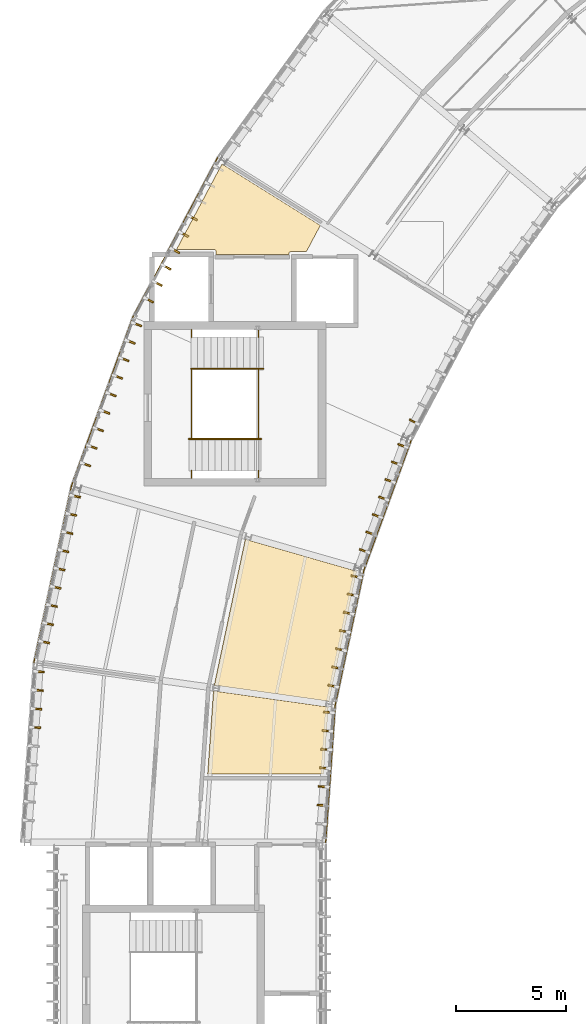
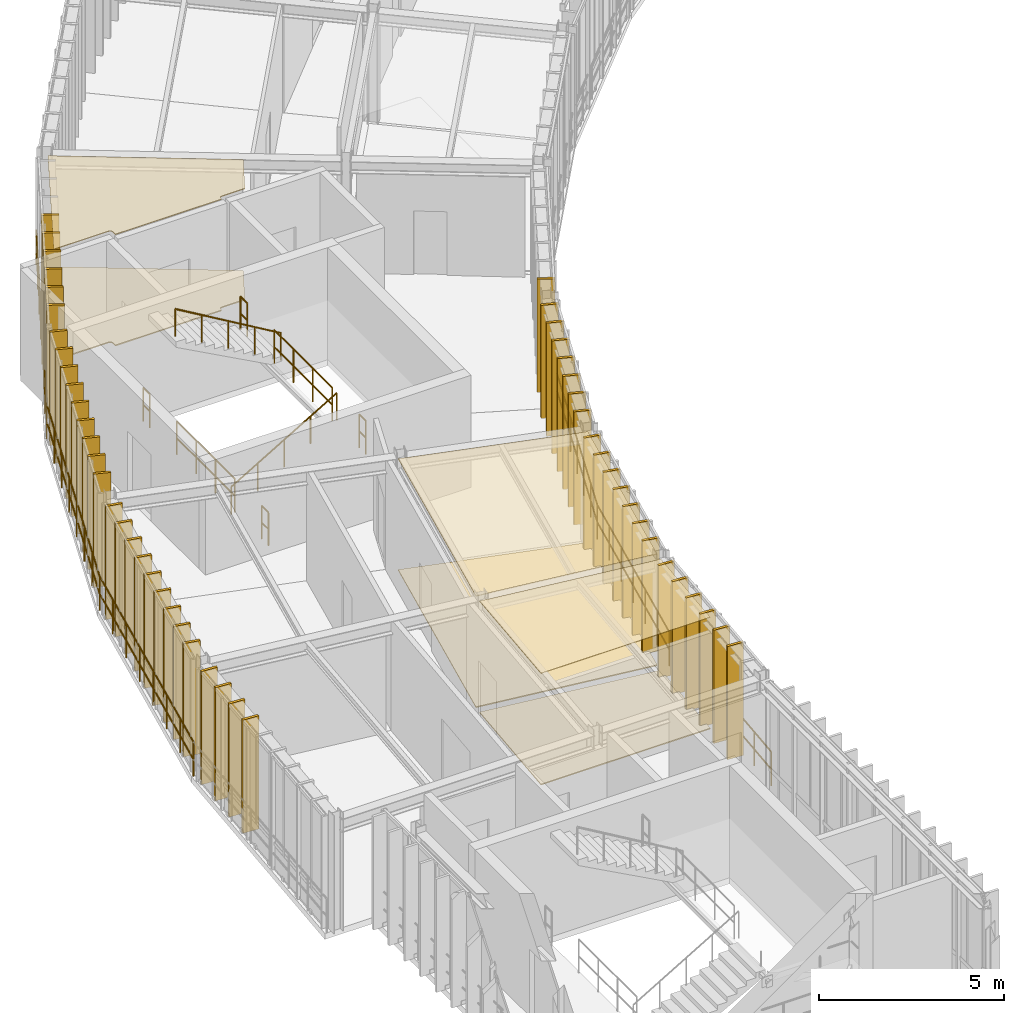
# One storey, part 23 of 25: 55 coverings, 14 railings.
"""IFC4 building model written with IfcOpenShell, lengths in metres."""

from ifc_helpers import new_model, si_unit, direction, frame, origin, origin_2d, place, context, subcontext, project, spatial, polyline, rectangle, circle, outline, extrude, material, layer, layer_set, type_object, element, save


model = new_model("IFC4")

# Units and contexts
model_context = context("Model", 3, precision=1e-05, world=origin(), true_north=direction((0.0, 1.0)))
body_context = subcontext(model_context, "Body", "Model", "MODEL_VIEW")
ifc_project = project(units=[si_unit("LENGTHUNIT", "METRE"), si_unit("AREAUNIT", "SQUARE_METRE"), si_unit("VOLUMEUNIT", "CUBIC_METRE"), si_unit("PLANEANGLEUNIT", "RADIAN"), si_unit("MASSUNIT", "GRAM", prefix="KILO"), si_unit("THERMODYNAMICTEMPERATUREUNIT", "KELVIN"), si_unit("POWERUNIT", "WATT")], contexts=[model_context])

# Site, building, storey
site_placement = place(None, origin())
site = spatial("IfcSite", under=ifc_project, at=site_placement, CompositionType="ELEMENT")
building_placement = place(site_placement, origin())
building = spatial("IfcBuilding", under=site, at=building_placement, Name="Solvatero Civic Police Headquarters", CompositionType="ELEMENT")
storey_placement = place(building_placement, frame((0.0, 0.0, 25.5)))
storey = spatial("IfcBuildingStorey", under=building, at=storey_placement, Name="L06", CompositionType="ELEMENT", Elevation=25.5)

# Coverings
ifc_material_1 = material(Name="Mineral-Fibre Acoustic Tile", Category="gypsum")
ifc_layer_1 = layer(ifc_material_1, 0.02490234375)
ifc_layer_set_1 = layer_set([ifc_layer_1], Name="Mineral-Fibre Acoustic Tile")
covering_type_1 = type_object("IfcCoveringType", Name="COV-CEIL-AC", PredefinedType="CEILING", material=ifc_layer_set_1)
covering_1_placement = place(storey_placement, frame((0.0, 0.0, 3.675048828125)))
element("IfcCovering", 1, at=covering_1_placement, inside=storey, type_object=covering_type_1, Name="Acoustic Ceiling Legal and Disciplinary Review Chamber Bay 9", PredefinedType="CEILING", context=body_context, shape_type="SweptSolid", body=[
    extrude(outline(polyline([(43.93994140625, 52.820068359375), (43.93994140625, 52.9599609375), (43.939697265625, 52.9677734375), (43.9384765625, 52.9755859375), (43.9365234375, 52.983154296875), (43.933837890625, 52.990478515625), (43.9306640625, 52.997802734375), (43.926513671875, 53.00439453125), (43.921875, 53.0107421875), (43.91650390625, 53.0166015625), (43.910888671875, 53.021728515625), (43.904296875, 53.026611328125), (43.897705078125, 53.030517578125), (43.890625, 53.033935546875), (43.88330078125, 53.03662109375), (43.87548828125, 53.03857421875), (43.867919921875, 53.03955078125), (43.860107421875, 53.0400390625), (42.136962890625, 53.0400390625), (44.21337890625, 56.945068359375), (48.698974609375, 54.14208984375), (48.059814453125, 52.93994140625), (47.340087890625, 52.93994140625), (47.332275390625, 52.939697265625), (47.324462890625, 52.9384765625), (47.31689453125, 52.9365234375), (47.309326171875, 52.933837890625), (47.30224609375, 52.9306640625), (47.295654296875, 52.926513671875), (47.289306640625, 52.921875), (47.283447265625, 52.91650390625), (47.2783203125, 52.910888671875), (47.2734375, 52.904296875), (47.269287109375, 52.897705078125), (47.26611328125, 52.890625), (47.263427734375, 52.88330078125), (47.261474609375, 52.87548828125), (47.260498046875, 52.867919921875), (47.260009765625, 52.860107421875), (47.260009765625, 52.820068359375), (43.93994140625, 52.820068359375)])), origin(), (0.0, 0.0, 1.0), 0.02490234375),
])
covering_2_placement = place(storey_placement, frame((0.0, 0.0, 3.675048828125)))
element("IfcCovering", 2, at=covering_2_placement, inside=storey, type_object=covering_type_1, Name="Acoustic Ceiling Deputy Questore Directorate Suite Bay 11", PredefinedType="CEILING", context=body_context, shape_type="SweptSolid", body=[
    extrude(outline(polyline([(49.09619140625, 32.431884765625), (43.8583984375, 33.168212890625), (45.2734375, 39.826416015625), (50.358154296875, 38.368408203125), (49.09619140625, 32.431884765625)])), origin(), (0.0, 0.0, 1.0), 0.02490234375),
])
covering_3_placement = place(storey_placement, frame((0.0, 0.0, 3.675048828125)))
element("IfcCovering", 3, at=covering_3_placement, inside=storey, type_object=covering_type_1, Name="Acoustic Ceiling Deputy Questore Directorate Suite Bay 12", PredefinedType="CEILING", context=body_context, shape_type="SweptSolid", body=[
    extrude(outline(polyline([(48.8486328125, 29.1298828125), (43.55908203125, 29.1298828125), (43.823486328125, 32.910400390625), (49.0615234375, 32.17431640625), (48.8486328125, 29.1298828125)])), origin(), (0.0, 0.0, 1.0), 0.02490234375),
])
ifc_material_2 = material(Name="Anodized Bronze Aluminium", Category="aluminium")
ifc_layer_2 = layer(ifc_material_2, 0.080078125)
ifc_layer_set_2 = layer_set([ifc_layer_2], Name="Anodized Bronze Aluminium")
covering_type_2 = type_object("IfcCoveringType", Name="COV-FIN-480", PredefinedType="CLADDING", material=ifc_layer_set_2)
for number, where, z_axis, x_axis, name in (
    (4, (42.864501953125, 54.4931640625, -0.02001953125), (0.0, 0.0, 1.0), (-0.469471562786, -0.882947592859, 0.0), "Vertical Brise-Soleil Fin 1285"),
    (5, (42.465576171875, 53.74267578125, -0.02001953125), (0.0, 0.0, 1.0), (-0.469471562786, -0.882947592859, 0.0), "Vertical Brise-Soleil Fin 1286"),
    (6, (42.06640625, 52.9921875, -0.02001953125), (0.0, 0.0, 1.0), (-0.469471562786, -0.882947592859, 0.0), "Vertical Brise-Soleil Fin 1287"),
    (7, (41.66748046875, 52.24169921875, -0.02001953125), (0.0, 0.0, 1.0), (-0.469471562786, -0.882947592859, 0.0), "Vertical Brise-Soleil Fin 1288"),
    (8, (41.268310546875, 51.4912109375, -0.02001953125), (0.0, 0.0, 1.0), (-0.469471562786, -0.882947592859, 0.0), "Vertical Brise-Soleil Fin 1289"),
    (9, (40.869384765625, 50.740478515625, -0.02001953125), (0.0, 0.0, 1.0), (-0.469471562786, -0.882947592859, 0.0), "Vertical Brise-Soleil Fin 1290"),
    (10, (52.980712890625, 45.17529296875, -0.02001953125), (0.0, 0.0, 1.0), (-0.469486973057, -0.8829393989, 0.0), "Vertical Brise-Soleil Fin 1297"),
    (11, (40.31884765625, 49.632568359375, -0.02001953125), (0.0, 0.0, 1.0), (-0.342020143326, -0.939692620786, 0.0), "Vertical Brise-Soleil Fin 1298"),
    (12, (40.028076171875, 48.833740234375, -0.02001953125), (0.0, 0.0, 1.0), (-0.342020143326, -0.939692620786, 0.0), "Vertical Brise-Soleil Fin 1299"),
    (13, (39.7373046875, 48.03515625, -0.02001953125), (0.0, 0.0, 1.0), (-0.342020143326, -0.939692620786, 0.0), "Vertical Brise-Soleil Fin 1300"),
    (14, (39.44677734375, 47.236328125, -0.02001953125), (0.0, 0.0, 1.0), (-0.342020143326, -0.939692620786, 0.0), "Vertical Brise-Soleil Fin 1301"),
    (15, (39.156005859375, 46.4375, -0.02001953125), (0.0, 0.0, 1.0), (-0.342020143326, -0.939692620786, 0.0), "Vertical Brise-Soleil Fin 1302"),
    (16, (38.865234375, 45.638916015625, -0.02001953125), (0.0, 0.0, 1.0), (-0.342020143326, -0.939692620786, 0.0), "Vertical Brise-Soleil Fin 1303"),
    (17, (38.57470703125, 44.840087890625, -0.02001953125), (0.0, 0.0, 1.0), (-0.342020143326, -0.939692620786, 0.0), "Vertical Brise-Soleil Fin 1304"),
    (18, (38.283935546875, 44.04150390625, -0.02001953125), (0.0, 0.0, 1.0), (-0.342020143326, -0.939692620786, 0.0), "Vertical Brise-Soleil Fin 1305"),
    (19, (37.9931640625, 43.24267578125, -0.02001953125), (0.0, 0.0, 1.0), (-0.342020143326, -0.939692620786, 0.0), "Vertical Brise-Soleil Fin 1306"),
    (20, (52.458984375, 44.081787109375, -0.02001953125), (0.0, 0.0, 1.0), (-0.342003742543, -0.93969859002, 0.0), "Vertical Brise-Soleil Fin 1307"),
    (21, (52.168212890625, 43.282958984375, -0.02001953125), (0.0, 0.0, 1.0), (-0.342003742543, -0.93969859002, 0.0), "Vertical Brise-Soleil Fin 1308"),
    (22, (51.87744140625, 42.484375, -0.02001953125), (0.0, 0.0, 1.0), (-0.342003742543, -0.93969859002, 0.0), "Vertical Brise-Soleil Fin 1309"),
    (23, (51.5869140625, 41.685546875, -0.02001953125), (0.0, 0.0, 1.0), (-0.342003742543, -0.93969859002, 0.0), "Vertical Brise-Soleil Fin 1310"),
    (24, (51.296142578125, 40.88671875, -0.02001953125), (0.0, 0.0, 1.0), (-0.342003742543, -0.93969859002, 0.0), "Vertical Brise-Soleil Fin 1311"),
    (25, (51.00537109375, 40.088134765625, -0.02001953125), (0.0, 0.0, 1.0), (-0.342003742543, -0.93969859002, 0.0), "Vertical Brise-Soleil Fin 1312"),
    (26, (50.714599609375, 39.289306640625, -0.02001953125), (0.0, 0.0, 1.0), (-0.342003742543, -0.93969859002, 0.0), "Vertical Brise-Soleil Fin 1313"),
    (27, (37.52197265625, 41.788818359375, -0.02001953125), (0.0, 0.0, 1.0), (-0.207911690818, -0.978147600734, 0.0), "Vertical Brise-Soleil Fin 1314"),
    (28, (37.34521484375, 40.957275390625, -0.02001953125), (0.0, 0.0, 1.0), (-0.207911690818, -0.978147600734, 0.0), "Vertical Brise-Soleil Fin 1315"),
    (29, (37.16845703125, 40.1259765625, -0.02001953125), (0.0, 0.0, 1.0), (-0.207911690818, -0.978147600734, 0.0), "Vertical Brise-Soleil Fin 1316"),
    (30, (36.99169921875, 39.29443359375, -0.02001953125), (0.0, 0.0, 1.0), (-0.207911690818, -0.978147600734, 0.0), "Vertical Brise-Soleil Fin 1317"),
    (31, (36.81494140625, 38.462890625, -0.02001953125), (0.0, 0.0, 1.0), (-0.207911690818, -0.978147600734, 0.0), "Vertical Brise-Soleil Fin 1318"),
    (32, (36.63818359375, 37.631591796875, -0.02001953125), (0.0, 0.0, 1.0), (-0.207911690818, -0.978147600734, 0.0), "Vertical Brise-Soleil Fin 1319"),
    (33, (36.461669921875, 36.80029296875, -0.02001953125), (0.0, 0.0, 1.0), (-0.207911690818, -0.978147600734, 0.0), "Vertical Brise-Soleil Fin 1320"),
    (34, (36.284912109375, 35.96875, -0.02001953125), (0.0, 0.0, 1.0), (-0.207911690818, -0.978147600734, 0.0), "Vertical Brise-Soleil Fin 1321"),
    (35, (36.108154296875, 35.13720703125, -0.02001953125), (0.0, 0.0, 1.0), (-0.207911690818, -0.978147600734, 0.0), "Vertical Brise-Soleil Fin 1322"),
    (36, (50.3447265625, 38.114501953125, -0.02001953125), (0.0, 0.0, 1.0), (-0.207911690818, -0.978147600734, 0.0), "Vertical Brise-Soleil Fin 1323"),
    (37, (50.16796875, 37.283203125, -0.02001953125), (0.0, 0.0, 1.0), (-0.207911690818, -0.978147600734, 0.0), "Vertical Brise-Soleil Fin 1324"),
    (38, (49.9912109375, 36.451904296875, -0.02001953125), (0.0, 0.0, 1.0), (-0.207911690818, -0.978147600734, 0.0), "Vertical Brise-Soleil Fin 1325"),
    (39, (49.814453125, 35.620361328125, -0.02001953125), (0.0, 0.0, 1.0), (-0.207911690818, -0.978147600734, 0.0), "Vertical Brise-Soleil Fin 1326"),
    (40, (49.6376953125, 34.788818359375, -0.02001953125), (0.0, 0.0, 1.0), (-0.207911690818, -0.978147600734, 0.0), "Vertical Brise-Soleil Fin 1327"),
    (41, (49.461181640625, 33.95751953125, -0.02001953125), (0.0, 0.0, 1.0), (-0.207911690818, -0.978147600734, 0.0), "Vertical Brise-Soleil Fin 1328"),
    (42, (49.2841796875, 33.126220703125, -0.02001953125), (0.0, 0.0, 1.0), (-0.207911690818, -0.978147600734, 0.0), "Vertical Brise-Soleil Fin 1329"),
    (43, (35.874755859375, 33.784912109375, -0.02001953125), (0.0, 0.0, 1.0), (-0.069739062956, -0.997565267588, 0.0), "Vertical Brise-Soleil Fin 1330"),
    (44, (35.8154296875, 32.93701171875, -0.02001953125), (0.0, 0.0, 1.0), (-0.069739062956, -0.997565267588, 0.0), "Vertical Brise-Soleil Fin 1331"),
    (45, (35.75634765625, 32.089111328125, -0.02001953125), (0.0, 0.0, 1.0), (-0.069739062956, -0.997565267588, 0.0), "Vertical Brise-Soleil Fin 1332"),
    (46, (35.697021484375, 31.2412109375, -0.02001953125), (0.0, 0.0, 1.0), (-0.069739062956, -0.997565267588, 0.0), "Vertical Brise-Soleil Fin 1333"),
    (47, (49.084228515625, 31.930908203125, -0.02001953125), (0.0, 0.0, 1.0), (-0.069773884511, -0.997562832628, 0.0), "Vertical Brise-Soleil Fin 1339"),
    (48, (49.02490234375, 31.0830078125, -0.02001953125), (0.0, 0.0, 1.0), (-0.069773884511, -0.997562832628, 0.0), "Vertical Brise-Soleil Fin 1340"),
    (49, (48.9658203125, 30.235107421875, -0.02001953125), (0.0, 0.0, 1.0), (-0.069773884511, -0.997562832628, 0.0), "Vertical Brise-Soleil Fin 1341"),
    (50, (48.906494140625, 29.38720703125, -0.02001953125), (0.0, 0.0, 1.0), (-0.069773884511, -0.997562832628, 0.0), "Vertical Brise-Soleil Fin 1342"),
    (51, (48.84716796875, 28.539306640625, -0.02001953125), (0.0, 0.0, 1.0), (-0.069773884511, -0.997562832628, 0.0), "Vertical Brise-Soleil Fin 1343"),
    (52, (48.787841796875, 27.69140625, -0.02001953125), (0.0, 0.0, 1.0), (-0.069773884511, -0.997562832628, 0.0), "Vertical Brise-Soleil Fin 1344"),
):
    element("IfcCovering", number, at=place(storey_placement, frame(where, z_axis=z_axis, x_axis=x_axis)), inside=storey, type_object=covering_type_2, Name=name, PredefinedType="CLADDING", context=body_context, shape_type="SweptSolid", body=[
        extrude(rectangle(XDim=0.080078125, YDim=0.47998046875, at=origin_2d()), origin(), (0.0, 0.0, 1.0), 3.739990234375),
    ])
ifc_material_3 = material(Name="Venetian Terrazzo Stone", Category="masonry")
ifc_layer_3 = layer(ifc_material_3, 0.034912109375)
ifc_layer_set_3 = layer_set([ifc_layer_3], Name="Venetian Terrazzo Stone")
covering_type_3 = type_object("IfcCoveringType", Name="COV-FLR-TER", PredefinedType="FLOORING", material=ifc_layer_set_3)
covering_4_placement = place(storey_placement, origin())
element("IfcCovering", 53, at=covering_4_placement, inside=storey, type_object=covering_type_3, Name="Flooring Legal and Disciplinary Review Chamber Bay 9", PredefinedType="FLOORING", context=body_context, shape_type="SweptSolid", body=[
    extrude(outline(polyline([(43.93994140625, 52.820068359375), (43.93994140625, 52.9599609375), (43.939697265625, 52.9677734375), (43.9384765625, 52.9755859375), (43.9365234375, 52.983154296875), (43.933837890625, 52.990478515625), (43.9306640625, 52.997802734375), (43.926513671875, 53.00439453125), (43.921875, 53.0107421875), (43.91650390625, 53.0166015625), (43.910888671875, 53.021728515625), (43.904296875, 53.026611328125), (43.897705078125, 53.030517578125), (43.890625, 53.033935546875), (43.88330078125, 53.03662109375), (43.87548828125, 53.03857421875), (43.867919921875, 53.03955078125), (43.860107421875, 53.0400390625), (42.136962890625, 53.0400390625), (44.21337890625, 56.945068359375), (48.698974609375, 54.14208984375), (48.059814453125, 52.93994140625), (47.340087890625, 52.93994140625), (47.332275390625, 52.939697265625), (47.324462890625, 52.9384765625), (47.31689453125, 52.9365234375), (47.309326171875, 52.933837890625), (47.30224609375, 52.9306640625), (47.295654296875, 52.926513671875), (47.289306640625, 52.921875), (47.283447265625, 52.91650390625), (47.2783203125, 52.910888671875), (47.2734375, 52.904296875), (47.269287109375, 52.897705078125), (47.26611328125, 52.890625), (47.263427734375, 52.88330078125), (47.261474609375, 52.87548828125), (47.260498046875, 52.867919921875), (47.260009765625, 52.860107421875), (47.260009765625, 52.820068359375), (43.93994140625, 52.820068359375)])), origin(), (0.0, 0.0, 1.0), 0.034912109375),
])
covering_5_placement = place(storey_placement, origin())
element("IfcCovering", 54, at=covering_5_placement, inside=storey, type_object=covering_type_3, Name="Flooring Deputy Questore Directorate Suite Bay 11", PredefinedType="FLOORING", context=body_context, shape_type="SweptSolid", body=[
    extrude(outline(polyline([(49.09619140625, 32.431884765625), (43.8583984375, 33.168212890625), (45.2734375, 39.826416015625), (50.358154296875, 38.368408203125), (49.09619140625, 32.431884765625)])), origin(), (0.0, 0.0, 1.0), 0.034912109375),
])
covering_6_placement = place(storey_placement, origin())
element("IfcCovering", 55, at=covering_6_placement, inside=storey, type_object=covering_type_3, Name="Flooring Deputy Questore Directorate Suite Bay 12", PredefinedType="FLOORING", context=body_context, shape_type="SweptSolid", body=[
    extrude(outline(polyline([(48.8486328125, 29.1298828125), (43.55908203125, 29.1298828125), (43.823486328125, 32.910400390625), (49.0615234375, 32.17431640625), (48.8486328125, 29.1298828125)])), origin(), (0.0, 0.0, 1.0), 0.034912109375),
])

# Railings
ifc_material_4 = material(Name="Anodized Bronze and Laminated Glass", Category="glass")
railing_type_1 = type_object("IfcRailingType", Name="RL-BAL-115", PredefinedType="BALUSTRADE", material=ifc_material_4)
railing_1_placement = place(storey_placement, frame((44.01611328125, 57.2333984375, 0.0)))
element("IfcRailing", 56, at=railing_1_placement, inside=storey, type_object=railing_type_1, Name="Glazed Facade Sill Balustrade RL-L06-ARCOUT-B09", PredefinedType="BALUSTRADE", context=body_context, shape_type="SweptSolid", body=[
    extrude(circle(Radius=0.02392578125, at=origin_2d()), frame((0.0, 0.0, 1.1259765625), z_axis=(-0.469495286037, -0.882934978573, 0.0), x_axis=(0.882934978573, -0.469495286037, 0.0)), (0.0, 0.0, 1.0), 8.222900390625),
    extrude(circle(Radius=0.02392578125, at=origin_2d()), frame((0.0, 0.0, 0.55078125), z_axis=(-0.469495286037, -0.882934978573, 0.0), x_axis=(0.882934978573, -0.469495286037, 0.0)), (0.0, 0.0, 1.0), 8.222900390625),
    extrude(circle(Radius=0.02099609375, at=origin_2d()), origin(), (0.0, 0.0, 1.0), 1.101806640625),
    extrude(circle(Radius=0.02099609375, at=origin_2d()), frame((-0.551513671875, -1.037109375, 0.0)), (0.0, 0.0, 1.0), 1.101806640625),
    extrude(circle(Radius=0.02099609375, at=origin_2d()), frame((-1.10302734375, -2.074462890625, 0.0)), (0.0, 0.0, 1.0), 1.101806640625),
    extrude(circle(Radius=0.02099609375, at=origin_2d()), frame((-1.654541015625, -3.111572265625, 0.0)), (0.0, 0.0, 1.0), 1.101806640625),
    extrude(circle(Radius=0.02099609375, at=origin_2d()), frame((-2.2060546875, -4.148681640625, 0.0)), (0.0, 0.0, 1.0), 1.101806640625),
    extrude(circle(Radius=0.02099609375, at=origin_2d()), frame((-2.757568359375, -5.185791015625, 0.0)), (0.0, 0.0, 1.0), 1.101806640625),
    extrude(circle(Radius=0.02099609375, at=origin_2d()), frame((-3.30908203125, -6.22314453125, 0.0)), (0.0, 0.0, 1.0), 1.101806640625),
    extrude(circle(Radius=0.02099609375, at=origin_2d()), frame((-3.860595703125, -7.26025390625, 0.0)), (0.0, 0.0, 1.0), 1.101806640625),
])
railing_2_placement = place(storey_placement, frame((52.835693359375, 44.32763671875, 0.0)))
element("IfcRailing", 57, at=railing_2_placement, inside=storey, type_object=railing_type_1, Name="Glazed Facade Sill Balustrade RL-L06-ARCIN-B10", PredefinedType="BALUSTRADE", context=body_context, shape_type="SweptSolid", body=[
    extrude(circle(Radius=0.02392578125, at=origin_2d()), frame((0.0, 0.0, 1.1259765625), z_axis=(-0.342020563113, -0.939692467996, 0.0), x_axis=(0.939692467996, -0.342020563113, 0.0)), (0.0, 0.0, 1.0), 6.28662109375),
    extrude(circle(Radius=0.02392578125, at=origin_2d()), frame((0.0, 0.0, 0.55078125), z_axis=(-0.342020563113, -0.939692467996, 0.0), x_axis=(0.939692467996, -0.342020563113, 0.0)), (0.0, 0.0, 1.0), 6.28662109375),
    extrude(circle(Radius=0.02099609375, at=origin_2d()), origin(), (0.0, 0.0, 1.0), 1.101806640625),
    extrude(circle(Radius=0.02099609375, at=origin_2d()), frame((-0.3583984375, -0.984619140625, 0.0)), (0.0, 0.0, 1.0), 1.101806640625),
    extrude(circle(Radius=0.02099609375, at=origin_2d()), frame((-0.716796875, -1.96923828125, 0.0)), (0.0, 0.0, 1.0), 1.101806640625),
    extrude(circle(Radius=0.02099609375, at=origin_2d()), frame((-1.0751953125, -2.95361328125, 0.0)), (0.0, 0.0, 1.0), 1.101806640625),
    extrude(circle(Radius=0.02099609375, at=origin_2d()), frame((-1.433349609375, -3.938232421875, 0.0)), (0.0, 0.0, 1.0), 1.101806640625),
    extrude(circle(Radius=0.02099609375, at=origin_2d()), frame((-1.791748046875, -4.9228515625, 0.0)), (0.0, 0.0, 1.0), 1.101806640625),
    extrude(circle(Radius=0.02099609375, at=origin_2d()), frame((-2.150146484375, -5.907470703125, 0.0)), (0.0, 0.0, 1.0), 1.101806640625),
])
railing_3_placement = place(storey_placement, frame((40.155517578125, 49.97314453125, 0.0)))
element("IfcRailing", 58, at=railing_3_placement, inside=storey, type_object=railing_type_1, Name="Glazed Facade Sill Balustrade RL-L06-ARCOUT-B10", PredefinedType="BALUSTRADE", context=body_context, shape_type="SweptSolid", body=[
    extrude(circle(Radius=0.02392578125, at=origin_2d()), frame((0.0, 0.0, 1.1259765625), z_axis=(-0.342002894578, -0.939698898637, 0.0), x_axis=(0.939698898637, -0.342002894578, 0.0)), (0.0, 0.0, 1.0), 8.222900390625),
    extrude(circle(Radius=0.02392578125, at=origin_2d()), frame((0.0, 0.0, 0.55078125), z_axis=(-0.342002894578, -0.939698898637, 0.0), x_axis=(0.939698898637, -0.342002894578, 0.0)), (0.0, 0.0, 1.0), 8.222900390625),
    extrude(circle(Radius=0.02099609375, at=origin_2d()), origin(), (0.0, 0.0, 1.0), 1.101806640625),
    extrude(circle(Radius=0.02099609375, at=origin_2d()), frame((-0.40185546875, -1.103759765625, 0.0)), (0.0, 0.0, 1.0), 1.101806640625),
    extrude(circle(Radius=0.02099609375, at=origin_2d()), frame((-0.803466796875, -2.207763671875, 0.0)), (0.0, 0.0, 1.0), 1.101806640625),
    extrude(circle(Radius=0.02099609375, at=origin_2d()), frame((-1.205322265625, -3.3115234375, 0.0)), (0.0, 0.0, 1.0), 1.101806640625),
    extrude(circle(Radius=0.02099609375, at=origin_2d()), frame((-1.60693359375, -4.41552734375, 0.0)), (0.0, 0.0, 1.0), 1.101806640625),
    extrude(circle(Radius=0.02099609375, at=origin_2d()), frame((-2.0087890625, -5.519287109375, 0.0)), (0.0, 0.0, 1.0), 1.101806640625),
    extrude(circle(Radius=0.02099609375, at=origin_2d()), frame((-2.410400390625, -6.623291015625, 0.0)), (0.0, 0.0, 1.0), 1.101806640625),
    extrude(circle(Radius=0.02099609375, at=origin_2d()), frame((-2.812255859375, -7.72705078125, 0.0)), (0.0, 0.0, 1.0), 1.101806640625),
])
railing_4_placement = place(storey_placement, frame((50.685546875, 38.420166015625, 0.0)))
element("IfcRailing", 59, at=railing_4_placement, inside=storey, type_object=railing_type_1, Name="Glazed Facade Sill Balustrade RL-L06-ARCIN-B11", PredefinedType="BALUSTRADE", context=body_context, shape_type="SweptSolid", body=[
    extrude(circle(Radius=0.02392578125, at=origin_2d()), frame((0.0, 0.0, 1.1259765625), z_axis=(-0.207924245306, -0.978144932111, 0.0), x_axis=(0.978144932111, -0.207924245306, 0.0)), (0.0, 0.0, 1.0), 6.28662109375),
    extrude(circle(Radius=0.02392578125, at=origin_2d()), frame((0.0, 0.0, 0.55078125), z_axis=(-0.207924245306, -0.978144932111, 0.0), x_axis=(0.978144932111, -0.207924245306, 0.0)), (0.0, 0.0, 1.0), 6.28662109375),
    extrude(circle(Radius=0.02099609375, at=origin_2d()), origin(), (0.0, 0.0, 1.0), 1.101806640625),
    extrude(circle(Radius=0.02099609375, at=origin_2d()), frame((-0.2177734375, -1.02490234375, 0.0)), (0.0, 0.0, 1.0), 1.101806640625),
    extrude(circle(Radius=0.02099609375, at=origin_2d()), frame((-0.435791015625, -2.0498046875, 0.0)), (0.0, 0.0, 1.0), 1.101806640625),
    extrude(circle(Radius=0.02099609375, at=origin_2d()), frame((-0.653564453125, -3.07470703125, 0.0)), (0.0, 0.0, 1.0), 1.101806640625),
    extrude(circle(Radius=0.02099609375, at=origin_2d()), frame((-0.871337890625, -4.099365234375, 0.0)), (0.0, 0.0, 1.0), 1.101806640625),
    extrude(circle(Radius=0.02099609375, at=origin_2d()), frame((-1.08935546875, -5.124267578125, 0.0)), (0.0, 0.0, 1.0), 1.101806640625),
    extrude(circle(Radius=0.02099609375, at=origin_2d()), frame((-1.30712890625, -6.149169921875, 0.0)), (0.0, 0.0, 1.0), 1.101806640625),
])
railing_5_placement = place(storey_placement, frame((37.34326171875, 42.24609375, 0.0)))
element("IfcRailing", 60, at=railing_5_placement, inside=storey, type_object=railing_type_1, Name="Glazed Facade Sill Balustrade RL-L06-ARCOUT-B11", PredefinedType="BALUSTRADE", context=body_context, shape_type="SweptSolid", body=[
    extrude(circle(Radius=0.02392578125, at=origin_2d()), frame((0.0, 0.0, 1.1259765625), z_axis=(-0.207920896775, -0.978145643902, 0.0), x_axis=(0.978145643902, -0.207920896775, 0.0)), (0.0, 0.0, 1.0), 8.222900390625),
    extrude(circle(Radius=0.02392578125, at=origin_2d()), frame((0.0, 0.0, 0.55078125), z_axis=(-0.207920896775, -0.978145643902, 0.0), x_axis=(0.978145643902, -0.207920896775, 0.0)), (0.0, 0.0, 1.0), 8.222900390625),
    extrude(circle(Radius=0.02099609375, at=origin_2d()), origin(), (0.0, 0.0, 1.0), 1.101806640625),
    extrude(circle(Radius=0.02099609375, at=origin_2d()), frame((-0.244140625, -1.14892578125, 0.0)), (0.0, 0.0, 1.0), 1.101806640625),
    extrude(circle(Radius=0.02099609375, at=origin_2d()), frame((-0.488525390625, -2.298095703125, 0.0)), (0.0, 0.0, 1.0), 1.101806640625),
    extrude(circle(Radius=0.02099609375, at=origin_2d()), frame((-0.732666015625, -3.447021484375, 0.0)), (0.0, 0.0, 1.0), 1.101806640625),
    extrude(circle(Radius=0.02099609375, at=origin_2d()), frame((-0.97705078125, -4.59619140625, 0.0)), (0.0, 0.0, 1.0), 1.101806640625),
    extrude(circle(Radius=0.02099609375, at=origin_2d()), frame((-1.22119140625, -5.7451171875, 0.0)), (0.0, 0.0, 1.0), 1.101806640625),
    extrude(circle(Radius=0.02099609375, at=origin_2d()), frame((-1.465576171875, -6.894287109375, 0.0)), (0.0, 0.0, 1.0), 1.101806640625),
    extrude(circle(Radius=0.02099609375, at=origin_2d()), frame((-1.709716796875, -8.043212890625, 0.0)), (0.0, 0.0, 1.0), 1.101806640625),
])
railing_6_placement = place(storey_placement, frame((49.37841796875, 32.27099609375, 0.0)))
element("IfcRailing", 61, at=railing_6_placement, inside=storey, type_object=railing_type_1, Name="Glazed Facade Sill Balustrade RL-L06-ARCIN-B12", PredefinedType="BALUSTRADE", context=body_context, shape_type="SweptSolid", body=[
    extrude(circle(Radius=0.02392578125, at=origin_2d()), frame((0.0, 0.0, 1.1259765625), z_axis=(-0.069751059496, -0.997564428846, 0.0), x_axis=(0.997564428846, -0.069751059496, 0.0)), (0.0, 0.0, 1.0), 6.286376953125),
    extrude(circle(Radius=0.02392578125, at=origin_2d()), frame((0.0, 0.0, 0.55078125), z_axis=(-0.069751059496, -0.997564428846, 0.0), x_axis=(0.997564428846, -0.069751059496, 0.0)), (0.0, 0.0, 1.0), 6.286376953125),
    extrude(circle(Radius=0.02099609375, at=origin_2d()), origin(), (0.0, 0.0, 1.0), 1.101806640625),
    extrude(circle(Radius=0.02099609375, at=origin_2d()), frame((-0.072998046875, -1.045166015625, 0.0)), (0.0, 0.0, 1.0), 1.101806640625),
    extrude(circle(Radius=0.02099609375, at=origin_2d()), frame((-0.146240234375, -2.09033203125, 0.0)), (0.0, 0.0, 1.0), 1.101806640625),
    extrude(circle(Radius=0.02099609375, at=origin_2d()), frame((-0.21923828125, -3.135498046875, 0.0)), (0.0, 0.0, 1.0), 1.101806640625),
    extrude(circle(Radius=0.02099609375, at=origin_2d()), frame((-0.292236328125, -4.1806640625, 0.0)), (0.0, 0.0, 1.0), 1.101806640625),
    extrude(circle(Radius=0.02099609375, at=origin_2d()), frame((-0.365478515625, -5.225830078125, 0.0)), (0.0, 0.0, 1.0), 1.101806640625),
    extrude(circle(Radius=0.02099609375, at=origin_2d()), frame((-0.4384765625, -6.27099609375, 0.0)), (0.0, 0.0, 1.0), 1.101806640625),
])
ifc_material_5 = material(Name="Painted Galvanized Steel", Category="steel")
railing_type_2 = type_object("IfcRailingType", Name="RL-GRD-110", PredefinedType="GUARDRAIL", material=ifc_material_5)
railing_7_placement = place(storey_placement, frame((42.830078125, 44.429931640625, 0.0)))
element("IfcRailing", 62, at=railing_7_placement, inside=storey, type_object=railing_type_2, Name="ST-C2 L06 Floor Well Guardrail", PredefinedType="GUARDRAIL", context=body_context, shape_type="SweptSolid", body=[
    extrude(circle(Radius=0.02392578125, at=origin_2d()), frame((0.0, 0.0, 1.09619140625), z_axis=(0.0, 1.0, 0.0), x_axis=(-1.0, 0.0, 0.0)), (0.0, 0.0, 1.0), 3.14013671875),
    extrude(circle(Radius=0.02392578125, at=origin_2d()), frame((0.0, 0.0, 0.5361328125), z_axis=(0.0, 1.0, 0.0), x_axis=(-1.0, 0.0, 0.0)), (0.0, 0.0, 1.0), 3.14013671875),
    extrude(circle(Radius=0.02099609375, at=origin_2d()), origin(), (0.0, 0.0, 1.0), 1.072021484375),
    extrude(circle(Radius=0.02099609375, at=origin_2d()), frame((0.0, 1.046630859375, 0.0)), (0.0, 0.0, 1.0), 1.072021484375),
    extrude(circle(Radius=0.02099609375, at=origin_2d()), frame((0.0, 2.093505859375, 0.0)), (0.0, 0.0, 1.0), 1.072021484375),
    extrude(circle(Radius=0.02099609375, at=origin_2d()), frame((0.0, 3.14013671875, 0.0)), (0.0, 0.0, 1.0), 1.072021484375),
])
for number, where, name in (
    (63, (42.830078125, 42.610107421875, 0.0), "ST-C2 L06 Floor Well South Slot Guardrail"),
    (64, (42.830078125, 49.030029296875, 0.0), "ST-C2 L06 Floor Well North Slot Guardrail"),
):
    element("IfcRailing", number, at=place(storey_placement, frame(where)), inside=storey, type_object=railing_type_2, Name=name, PredefinedType="GUARDRAIL", context=body_context, shape_type="SweptSolid", body=[
        extrude(circle(Radius=0.02392578125, at=origin_2d()), frame((0.0, 0.0, 1.09619140625), z_axis=(0.0, 1.0, 0.0), x_axis=(-1.0, 0.0, 0.0)), (0.0, 0.0, 1.0), 0.35986328125),
        extrude(circle(Radius=0.02392578125, at=origin_2d()), frame((0.0, 0.0, 0.5361328125), z_axis=(0.0, 1.0, 0.0), x_axis=(-1.0, 0.0, 0.0)), (0.0, 0.0, 1.0), 0.35986328125),
        extrude(circle(Radius=0.02099609375, at=origin_2d()), origin(), (0.0, 0.0, 1.0), 1.072021484375),
        extrude(circle(Radius=0.02099609375, at=origin_2d()), frame((0.0, 0.35986328125, 0.0)), (0.0, 0.0, 1.0), 1.072021484375),
    ])
railing_8_placement = place(storey_placement, frame((45.8701171875, 44.429931640625, 1.949951171875)))
element("IfcRailing", 65, at=railing_8_placement, inside=storey, type_object=railing_type_2, Name="ST-C2 L06 Half-Landing Well Guardrail", PredefinedType="GUARDRAIL", context=body_context, shape_type="SweptSolid", body=[
    extrude(circle(Radius=0.02392578125, at=origin_2d()), frame((0.0, 0.0, 1.09619140625), z_axis=(0.0, 1.0, 0.0), x_axis=(-1.0, 0.0, 0.0)), (0.0, 0.0, 1.0), 3.14013671875),
    extrude(circle(Radius=0.02392578125, at=origin_2d()), frame((0.0, 0.0, 0.5361328125), z_axis=(0.0, 1.0, 0.0), x_axis=(-1.0, 0.0, 0.0)), (0.0, 0.0, 1.0), 3.14013671875),
    extrude(circle(Radius=0.02099609375, at=origin_2d()), origin(), (0.0, 0.0, 1.0), 1.072021484375),
    extrude(circle(Radius=0.02099609375, at=origin_2d()), frame((0.0, 1.046630859375, 0.0)), (0.0, 0.0, 1.0), 1.072021484375),
    extrude(circle(Radius=0.02099609375, at=origin_2d()), frame((0.0, 2.093505859375, 0.0)), (0.0, 0.0, 1.0), 1.072021484375),
    extrude(circle(Radius=0.02099609375, at=origin_2d()), frame((0.0, 3.14013671875, 0.0)), (0.0, 0.0, 1.0), 1.072021484375),
])
for number, where, name in (
    (66, (45.8701171875, 42.610107421875, 1.949951171875), "ST-C2 L06 Half-Landing South Slot Guardrail"),
    (67, (45.8701171875, 49.030029296875, 1.949951171875), "ST-C2 L06 Half-Landing North Slot Guardrail"),
):
    element("IfcRailing", number, at=place(storey_placement, frame(where)), inside=storey, type_object=railing_type_2, Name=name, PredefinedType="GUARDRAIL", context=body_context, shape_type="SweptSolid", body=[
        extrude(circle(Radius=0.02392578125, at=origin_2d()), frame((0.0, 0.0, 1.09619140625), z_axis=(0.0, 1.0, 0.0), x_axis=(-1.0, 0.0, 0.0)), (0.0, 0.0, 1.0), 0.35986328125),
        extrude(circle(Radius=0.02392578125, at=origin_2d()), frame((0.0, 0.0, 0.5361328125), z_axis=(0.0, 1.0, 0.0), x_axis=(-1.0, 0.0, 0.0)), (0.0, 0.0, 1.0), 0.35986328125),
        extrude(circle(Radius=0.02099609375, at=origin_2d()), origin(), (0.0, 0.0, 1.0), 1.072021484375),
        extrude(circle(Radius=0.02099609375, at=origin_2d()), frame((0.0, 0.35986328125, 0.0)), (0.0, 0.0, 1.0), 1.072021484375),
    ])
ifc_material_6 = material(Name="Brushed Stainless Steel", Category="steel")
railing_type_3 = type_object("IfcRailingType", Name="RL-HND-092", PredefinedType="HANDRAIL", material=ifc_material_6)
railing_9_placement = place(storey_placement, frame((42.699951171875, 44.39990234375, 0.0)))
element("IfcRailing", 68, at=railing_9_placement, inside=storey, type_object=railing_type_3, Name="ST-C2 L06 Flight 1 Handrail", PredefinedType="HANDRAIL", context=body_context, shape_type="SweptSolid", body=[
    extrude(circle(Radius=0.02392578125, at=origin_2d()), frame((0.0, 0.0, 0.89599609375), z_axis=(0.860935404107, 0.0, 0.508714291086), x_axis=(0.0, 1.0, 0.0)), (0.0, 0.0, 1.0), 3.8330078125),
    extrude(circle(Radius=0.02099609375, at=origin_2d()), origin(), (0.0, 0.0, 1.0), 0.871826171875),
    extrude(circle(Radius=0.02099609375, at=origin_2d()), frame((0.824951171875, 0.0, 0.487548828125)), (0.0, 0.0, 1.0), 0.871826171875),
    extrude(circle(Radius=0.02099609375, at=origin_2d()), frame((1.64990234375, 0.0, 0.97509765625)), (0.0, 0.0, 1.0), 0.871826171875),
    extrude(circle(Radius=0.02099609375, at=origin_2d()), frame((2.47509765625, 0.0, 1.46240234375)), (0.0, 0.0, 1.0), 0.871826171875),
    extrude(circle(Radius=0.02099609375, at=origin_2d()), frame((3.300048828125, 0.0, 1.949951171875)), (0.0, 0.0, 1.0), 0.871826171875),
])
railing_10_placement = place(storey_placement, frame((46.10009765625, 47.60009765625, 1.949951171875)))
element("IfcRailing", 69, at=railing_10_placement, inside=storey, type_object=railing_type_3, Name="ST-C2 L06 Flight 2 Handrail", PredefinedType="HANDRAIL", context=body_context, shape_type="SweptSolid", body=[
    extrude(circle(Radius=0.02392578125, at=origin_2d()), frame((0.0, 0.0, 0.89599609375), z_axis=(-0.860935404107, 0.0, 0.508714291086), x_axis=(0.0, -1.0, 0.0)), (0.0, 0.0, 1.0), 3.8330078125),
    extrude(circle(Radius=0.02099609375, at=origin_2d()), origin(), (0.0, 0.0, 1.0), 0.871826171875),
    extrude(circle(Radius=0.02099609375, at=origin_2d()), frame((-0.824951171875, 0.0, 0.487548828125)), (0.0, 0.0, 1.0), 0.871826171875),
    extrude(circle(Radius=0.02099609375, at=origin_2d()), frame((-1.64990234375, 0.0, 0.97509765625)), (0.0, 0.0, 1.0), 0.871826171875),
    extrude(circle(Radius=0.02099609375, at=origin_2d()), frame((-2.47509765625, 0.0, 1.46240234375)), (0.0, 0.0, 1.0), 0.871826171875),
    extrude(circle(Radius=0.02099609375, at=origin_2d()), frame((-3.300048828125, 0.0, 1.949951171875)), (0.0, 0.0, 1.0), 0.871826171875),
])

save(model, "model.ifc")
